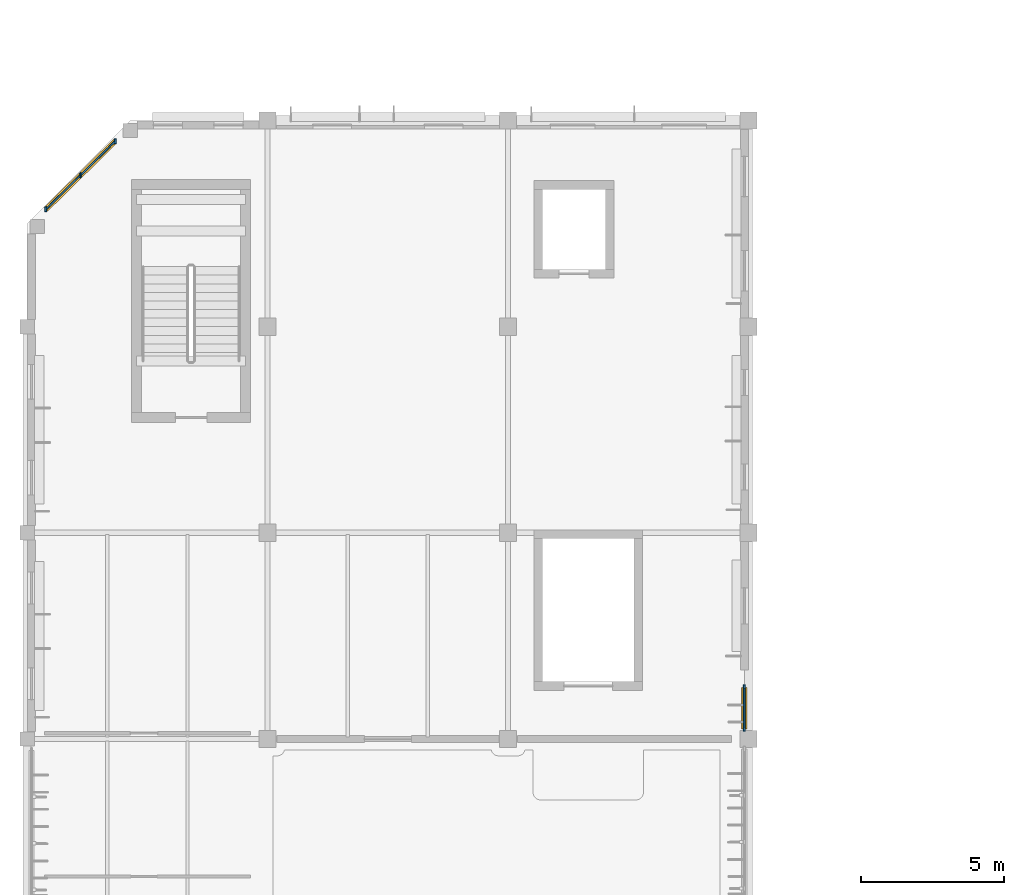
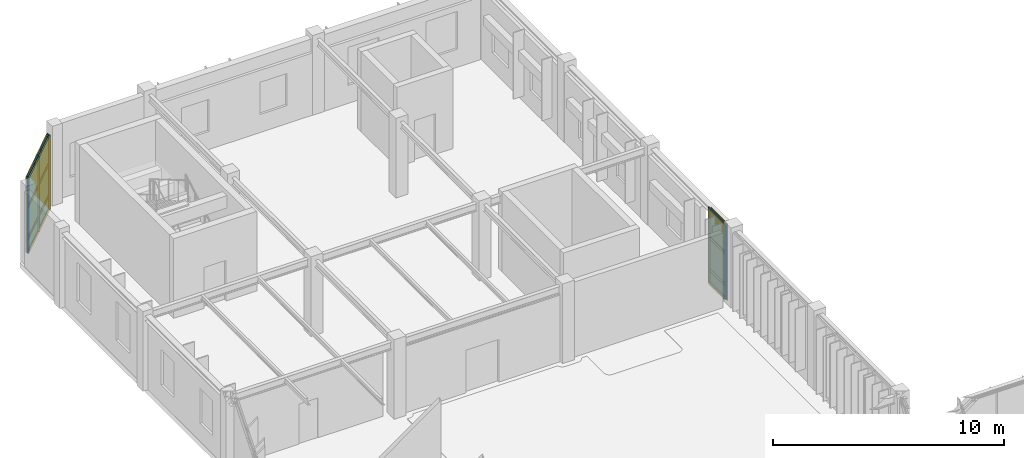
# One storey, part 82 of 104: 17 members, 9 plates, 2 curtain walls.
"""IFC4 building model written with IfcOpenShell, lengths in metres."""

import ifcopenshell
import ifcopenshell.guid

model = None  # the IFC model being written
_history = None  # IfcOwnerHistory: only IFC2X3 demands one
_inside = {}  # id of a spatial element -> (the spatial element, [elements in it])
_under = {}  # id of a project, library or spatial element -> (it, [spatial elements below it])
_declared = {}  # id of a project -> (the project, [libraries it declares])
_typed = {}  # id of a type object -> (the type object, [elements of that type])
_made_of = {}  # id of a material, layer set ... -> (it, [elements and type objects made of it])


def new_model(schema):
    """Start an empty IFC model of exactly this schema.

    Asked for "IFC4X3", IfcOpenShell would pick the latest addendum, in which some entities
    have other attributes; the version numbers below select the first issue.
    IFC2X3 requires an IfcOwnerHistory on every rooted entity: one is made here for all.
    """
    global model, _history
    if schema == "IFC4X3":
        model = ifcopenshell.file(schema_version=(4, 3, 0, 0))
    else:
        model = ifcopenshell.file(schema=schema)
    _inside.clear()
    _under.clear()
    _declared.clear()
    _typed.clear()
    _made_of.clear()
    _history = None
    if model.schema == "IFC2X3":
        org = make("IfcOrganization", Name="unknown")
        user = make(
            "IfcPersonAndOrganization",
            ThePerson=make("IfcPerson", FamilyName="unknown"),
            TheOrganization=org,
        )
        app = make(
            "IfcApplication",
            ApplicationDeveloper=org,
            Version="unknown",
            ApplicationFullName="unknown",
            ApplicationIdentifier="unknown",
        )
        _history = make(
            "IfcOwnerHistory",
            OwningUser=user,
            OwningApplication=app,
            ChangeAction="ADDED",
            CreationDate=0,
        )
    return model


def make(cls, **values):
    """One entity of the class cls with the attributes given. An attribute that is None is left unset."""
    return model.create_entity(
        cls, **{name: value for name, value in values.items() if value is not None}
    )


def rooted(cls, **values):
    """An entity with a GlobalId (a new one), such as an element, a storey or a relation."""
    return make(cls, GlobalId=ifcopenshell.guid.new(), OwnerHistory=_history, **values)


def si_unit(unit_type, name, prefix=None):
    """IfcSIUnit, for example si_unit("LENGTHUNIT", "METRE", prefix="MILLI")."""
    return make("IfcSIUnit", UnitType=unit_type, Prefix=prefix, Name=name)


def assignment(units):
    """IfcUnitAssignment: the units of a project."""
    return None if units is None else make("IfcUnitAssignment", Units=units)


def point(xyz):
    """IfcCartesianPoint."""
    return None if xyz is None else make("IfcCartesianPoint", Coordinates=xyz)


def direction(xyz):
    """IfcDirection."""
    return None if xyz is None else make("IfcDirection", DirectionRatios=xyz)


def frame(location, z_axis=None, x_axis=None):
    """IfcAxis2Placement3D, a coordinate frame: its origin and axes. An axis left out is left unset."""
    return make(
        "IfcAxis2Placement3D",
        Location=point(location),
        Axis=direction(z_axis),
        RefDirection=direction(x_axis),
    )


def frame_2d(location, x_axis=None):
    """IfcAxis2Placement2D, a coordinate frame in the plane: its origin and x axis."""
    return make(
        "IfcAxis2Placement2D", Location=point(location), RefDirection=direction(x_axis)
    )


def origin():
    """The frame at (0, 0, 0) with its axes left unset."""
    return frame((0.0, 0.0, 0.0))


def origin_2d():
    """The frame at (0, 0) in the plane with its x axis left unset."""
    return frame_2d((0.0, 0.0))


def place(relative_to, where):
    """IfcLocalPlacement: puts the frame where relative to a parent placement (None: the world)."""
    return make(
        "IfcLocalPlacement", PlacementRelTo=relative_to, RelativePlacement=where
    )


def context(
    kind, dimensions, precision=None, world=None, true_north=None, identifier=None
):
    """IfcGeometricRepresentationContext, for example the 3D "Model" context."""
    return make(
        "IfcGeometricRepresentationContext",
        ContextIdentifier=identifier,
        ContextType=kind,
        CoordinateSpaceDimension=dimensions,
        Precision=precision,
        WorldCoordinateSystem=world,
        TrueNorth=true_north,
    )


def subcontext(parent, identifier, kind, view, scale=None):
    """IfcGeometricRepresentationSubContext, for example "Body" below "Model"."""
    return make(
        "IfcGeometricRepresentationSubContext",
        ContextIdentifier=identifier,
        ContextType=kind,
        ParentContext=parent,
        TargetScale=scale,
        TargetView=view,
    )


def project(units=None, contexts=None):
    """IfcProject with its units and contexts."""
    return rooted(
        "IfcProject",
        Name="project",
        RepresentationContexts=contexts,
        UnitsInContext=assignment(units),
    )


def spatial(cls, under=None, at=None, **own):
    """A site, building, storey or space (cls), placed at a placement, below another one or the project."""
    s = rooted(cls, ObjectPlacement=at, **own)
    if under is not None:
        _under.setdefault(under.id(), (under, []))[1].append(s)
    return s


def profile(cls, at=None, kind="AREA", **sizes):
    """A parametric profile (cls). Its sizes go by their IFC names, for example OverallWidth=200.0."""
    return make(cls, ProfileType=kind, Position=at, **sizes)


def rectangle(**sizes):
    """IfcRectangleProfileDef."""
    return profile("IfcRectangleProfileDef", **sizes)


def extrude(swept, where, along, depth):
    """IfcExtrudedAreaSolid: the profile swept, set in the frame where, extruded along a direction by depth."""
    return make(
        "IfcExtrudedAreaSolid",
        SweptArea=swept,
        Position=where,
        ExtrudedDirection=direction(along),
        Depth=depth,
    )


def shape(context_of_items, identifier, shape_type, items):
    """IfcShapeRepresentation: the items that make up one representation, for example the "Body"."""
    return make(
        "IfcShapeRepresentation",
        ContextOfItems=context_of_items,
        RepresentationIdentifier=identifier,
        RepresentationType=shape_type,
        Items=items,
    )


def material(Name=None, Category=None):
    """IfcMaterial."""
    return make("IfcMaterial", Name=Name, Category=Category)


def layer(
    of_material, thickness, ventilated=None, Name=None, Category=None, Priority=None
):
    """IfcMaterialLayer: one layer of a wall or slab, of a material (None: an air gap)."""
    return make(
        "IfcMaterialLayer",
        Material=of_material,
        LayerThickness=thickness,
        IsVentilated=ventilated,
        Name=Name,
        Category=Category,
        Priority=Priority,
    )


def layer_set(layers, Name=None):
    """IfcMaterialLayerSet."""
    return make("IfcMaterialLayerSet", MaterialLayers=layers, LayerSetName=Name)


def material_profile(
    of_material, cross_section, Name=None, Category=None, Priority=None
):
    """IfcMaterialProfile: a cross section and its material."""
    return make(
        "IfcMaterialProfile",
        Name=Name,
        Material=of_material,
        Profile=cross_section,
        Priority=Priority,
        Category=Category,
    )


def profile_set(profiles, Name=None, composite=None):
    """IfcMaterialProfileSet."""
    return make(
        "IfcMaterialProfileSet",
        Name=Name,
        MaterialProfiles=profiles,
        CompositeProfile=composite,
    )


def made_of(thing, what):
    """Note that an element or type object is made of a material, layer set ...; save() writes the relation."""
    if what is not None:
        _made_of.setdefault(what.id(), (what, []))[1].append(thing)
    return thing


def type_object(cls, material=None, **own):
    """A type object (cls), such as IfcWallType, which elements share."""
    return made_of(rooted(cls, **own), material)


def element(
    cls,
    number,
    at=None,
    inside=None,
    cuts=None,
    type_object=None,
    material=None,
    context=None,
    identifier="Body",
    shape_type=None,
    held_by="IfcProductDefinitionShape",
    body=None,
    shapes=None,
    **own,
):
    """One element of the class cls, such as IfcWall. Its Tag is "e" and its number.

    at: its placement. inside: the storey or other place that contains it. cuts: it is an
    opening in that element (IfcRelVoidsElement). A single representation is given by context,
    identifier, shape_type and body (its items); several are given by shapes. held_by: the class
    of the entity that holds the representations. save() writes the other relations.
    """
    e = rooted(cls, Tag="e%d" % number, ObjectPlacement=at, **own)
    if body is not None:
        shapes = [shape(context, identifier, shape_type, body)]
    if shapes is not None:
        e.Representation = make(held_by, Representations=shapes)
    if inside is not None:
        _inside.setdefault(inside.id(), (inside, []))[1].append(e)
    if cuts is not None:
        rooted(
            "IfcRelVoidsElement", RelatingBuildingElement=cuts, RelatedOpeningElement=e
        )
    if type_object is not None:
        _typed.setdefault(type_object.id(), (type_object, []))[1].append(e)
    return made_of(e, material)


def aggregate(whole, parts):
    """IfcRelAggregates: a whole, such as a stair, and the parts it consists of."""
    return rooted("IfcRelAggregates", RelatingObject=whole, RelatedObjects=parts)


def save(model, path):
    """Write the relations noted so far, then the file.

    IfcRelAggregates (storeys below a building ...), IfcRelContainedInSpatialStructure (elements
    in a storey), IfcRelDefinesByType, IfcRelAssociatesMaterial and IfcRelDeclares: one each for
    every whole, place, type object, material and project.
    """
    for whole, parts in _under.values():
        aggregate(whole, parts)
    for where, things in _inside.values():
        rooted(
            "IfcRelContainedInSpatialStructure",
            RelatedElements=things,
            RelatingStructure=where,
        )
    for kind, things in _typed.values():
        rooted("IfcRelDefinesByType", RelatedObjects=things, RelatingType=kind)
    for what, things in _made_of.values():
        rooted("IfcRelAssociatesMaterial", RelatedObjects=things, RelatingMaterial=what)
    for by, libraries in _declared.values():
        rooted("IfcRelDeclares", RelatingContext=by, RelatedDefinitions=libraries)
    model.write(path)


model = new_model("IFC4")

# Units and contexts
model_context = context("Model", 3, precision=1e-05, world=origin(), true_north=direction((0.0, 1.0)))
body_context = subcontext(model_context, "Body", "Model", "MODEL_VIEW")
ifc_project = project(units=[si_unit("LENGTHUNIT", "METRE"), si_unit("AREAUNIT", "SQUARE_METRE"), si_unit("VOLUMEUNIT", "CUBIC_METRE"), si_unit("PLANEANGLEUNIT", "RADIAN"), si_unit("MASSUNIT", "GRAM", prefix="KILO")], contexts=[model_context])

# Member
ifc_material_1 = material(Name="Anodised Bronze Aluminium 6063-T6", Category="aluminium")
ifc_material_profile_1 = material_profile(ifc_material_1, rectangle(XDim=0.06005859375, YDim=0.179931640625, at=origin_2d()), Name="ALU MULLION 60x180")
ifc_profile_set_1 = profile_set([ifc_material_profile_1], Name="Anodised Bronze Aluminium 6063-T6")
member_type_1 = type_object("IfcMemberType", Name="Curtain-Wall Primary Mullion 60x180", PredefinedType="MULLION", material=ifc_profile_set_1)
site_placement = place(None, origin())
building_placement = place(site_placement, origin())
storey_placement = place(building_placement, frame((0.0, 0.0, 9.0)))
member_1_placement = place(storey_placement, frame((5.474365234375, 87.080810546875, 0.0), z_axis=(0.0, 0.0, 1.0), x_axis=(1.0, 0.0, 0.0)))
member_1 = element("IfcMember", 1, at=member_1_placement, type_object=member_type_1, Name="Mullion CWM-01 CW-V6-NWCH-L02-M01", PredefinedType="MULLION", context=body_context, shape_type="SweptSolid", body=[
    extrude(rectangle(XDim=0.06005859375, YDim=0.179931640625, at=origin_2d()), origin(), (0.0, 0.0, 1.0), 3.9599609375),
])

member_2_placement = place(storey_placement, frame((4.26318359375, 85.888671875, 0.0), z_axis=(0.0, 0.0, 1.0), x_axis=(1.0, 0.0, 0.0)))
member_2 = element("IfcMember", 2, at=member_2_placement, type_object=member_type_1, Name="Mullion CWM-01 CW-V6-NWCH-L02-M02", PredefinedType="MULLION", context=body_context, shape_type="SweptSolid", body=[
    extrude(rectangle(XDim=0.06005859375, YDim=0.179931640625, at=origin_2d()), origin(), (0.0, 0.0, 1.0), 3.9599609375),
])

member_3_placement = place(storey_placement, frame((3.0517578125, 84.696533203125, 0.0), z_axis=(0.0, 0.0, 1.0), x_axis=(1.0, 0.0, 0.0)))
member_3 = element("IfcMember", 3, at=member_3_placement, type_object=member_type_1, Name="Mullion CWM-01 CW-V6-NWCH-L02-M03", PredefinedType="MULLION", context=body_context, shape_type="SweptSolid", body=[
    extrude(rectangle(XDim=0.06005859375, YDim=0.179931640625, at=origin_2d()), origin(), (0.0, 0.0, 1.0), 3.9599609375),
])

member_4_placement = place(storey_placement, frame((27.449951171875, 66.550048828125, 0.0), z_axis=(0.0, 0.0, 1.0), x_axis=(1.0, 0.0, 0.0)))
member_4 = element("IfcMember", 4, at=member_4_placement, type_object=member_type_1, Name="Mullion CWM-01 CW-V6-E1-L02-B4-M01", PredefinedType="MULLION", context=body_context, shape_type="SweptSolid", body=[
    extrude(rectangle(XDim=0.06005859375, YDim=0.179931640625, at=origin_2d()), origin(), (0.0, 0.0, 1.0), 3.9599609375),
])

member_5_placement = place(storey_placement, frame((27.449951171875, 68.0, 0.0), z_axis=(0.0, 0.0, 1.0), x_axis=(1.0, 0.0, 0.0)))
member_5 = element("IfcMember", 5, at=member_5_placement, type_object=member_type_1, Name="Mullion CWM-01 CW-V6-E1-L02-B4-M02", PredefinedType="MULLION", context=body_context, shape_type="SweptSolid", body=[
    extrude(rectangle(XDim=0.06005859375, YDim=0.179931640625, at=origin_2d()), origin(), (0.0, 0.0, 1.0), 3.9599609375),
])

ifc_material_profile_2 = material_profile(ifc_material_1, rectangle(XDim=0.06005859375, YDim=0.139892578125, at=origin_2d()), Name="ALU TRANSOM 60x140")
ifc_profile_set_2 = profile_set([ifc_material_profile_2], Name="Anodised Bronze Aluminium 6063-T6")
member_type_2 = type_object("IfcMemberType", Name="Curtain-Wall Transom 60x140", PredefinedType="USERDEFINED", material=ifc_profile_set_2)
member_6_placement = place(storey_placement, frame((5.449462890625, 87.05615234375, 0.0400390625), z_axis=(-0.71270278191, -0.701466139353, 0.0), x_axis=(0.701466139353, -0.71270278191, 0.0)))
member_6 = element("IfcMember", 6, at=member_6_placement, type_object=member_type_2, Name="Transom CWT-01 CW-V6-NWCH-L02-T01.1", ObjectType="TRANSOM", PredefinedType="USERDEFINED", context=body_context, shape_type="SweptSolid", body=[
    extrude(rectangle(XDim=0.06005859375, YDim=0.139892578125, at=origin_2d()), origin(), (0.0, 0.0, 1.0), 1.629638671875),
])

member_7_placement = place(storey_placement, frame((5.449462890625, 87.05615234375, 0.75), z_axis=(-0.71270278191, -0.701466139353, 0.0), x_axis=(0.701466139353, -0.71270278191, 0.0)))
member_7 = element("IfcMember", 7, at=member_7_placement, type_object=member_type_2, Name="Transom CWT-01 CW-V6-NWCH-L02-T01.2", ObjectType="TRANSOM", PredefinedType="USERDEFINED", context=body_context, shape_type="SweptSolid", body=[
    extrude(rectangle(XDim=0.06005859375, YDim=0.139892578125, at=origin_2d()), origin(), (0.0, 0.0, 1.0), 1.629638671875),
])

member_8_placement = place(storey_placement, frame((5.449462890625, 87.05615234375, 2.419189453125), z_axis=(-0.71270278191, -0.701466139353, 0.0), x_axis=(0.701466139353, -0.71270278191, 0.0)))
member_8 = element("IfcMember", 8, at=member_8_placement, type_object=member_type_2, Name="Transom CWT-01 CW-V6-NWCH-L02-T01.3", ObjectType="TRANSOM", PredefinedType="USERDEFINED", context=body_context, shape_type="SweptSolid", body=[
    extrude(rectangle(XDim=0.06005859375, YDim=0.139892578125, at=origin_2d()), origin(), (0.0, 0.0, 1.0), 1.629638671875),
])

member_9_placement = place(storey_placement, frame((5.449462890625, 87.05615234375, 3.919921875), z_axis=(-0.71270278191, -0.701466139353, 0.0), x_axis=(0.701466139353, -0.71270278191, 0.0)))
member_9 = element("IfcMember", 9, at=member_9_placement, type_object=member_type_2, Name="Transom CWT-01 CW-V6-NWCH-L02-T01.4", ObjectType="TRANSOM", PredefinedType="USERDEFINED", context=body_context, shape_type="SweptSolid", body=[
    extrude(rectangle(XDim=0.06005859375, YDim=0.139892578125, at=origin_2d()), origin(), (0.0, 0.0, 1.0), 1.629638671875),
])

member_10_placement = place(storey_placement, frame((4.23828125, 85.864013671875, 0.0400390625), z_axis=(-0.712851387728, -0.70131512105, 0.0), x_axis=(0.70131512105, -0.712851387728, 0.0)))
member_10 = element("IfcMember", 10, at=member_10_placement, type_object=member_type_2, Name="Transom CWT-01 CW-V6-NWCH-L02-T02.1", ObjectType="TRANSOM", PredefinedType="USERDEFINED", context=body_context, shape_type="SweptSolid", body=[
    extrude(rectangle(XDim=0.06005859375, YDim=0.139892578125, at=origin_2d()), origin(), (0.0, 0.0, 1.0), 1.629638671875),
])

member_11_placement = place(storey_placement, frame((4.23828125, 85.864013671875, 0.75), z_axis=(-0.712851387728, -0.70131512105, 0.0), x_axis=(0.70131512105, -0.712851387728, 0.0)))
member_11 = element("IfcMember", 11, at=member_11_placement, type_object=member_type_2, Name="Transom CWT-01 CW-V6-NWCH-L02-T02.2", ObjectType="TRANSOM", PredefinedType="USERDEFINED", context=body_context, shape_type="SweptSolid", body=[
    extrude(rectangle(XDim=0.06005859375, YDim=0.139892578125, at=origin_2d()), origin(), (0.0, 0.0, 1.0), 1.629638671875),
])

member_12_placement = place(storey_placement, frame((4.23828125, 85.864013671875, 2.419189453125), z_axis=(-0.712851387728, -0.70131512105, 0.0), x_axis=(0.70131512105, -0.712851387728, 0.0)))
member_12 = element("IfcMember", 12, at=member_12_placement, type_object=member_type_2, Name="Transom CWT-01 CW-V6-NWCH-L02-T02.3", ObjectType="TRANSOM", PredefinedType="USERDEFINED", context=body_context, shape_type="SweptSolid", body=[
    extrude(rectangle(XDim=0.06005859375, YDim=0.139892578125, at=origin_2d()), origin(), (0.0, 0.0, 1.0), 1.629638671875),
])

member_13_placement = place(storey_placement, frame((4.23828125, 85.864013671875, 3.919921875), z_axis=(-0.712851387728, -0.70131512105, 0.0), x_axis=(0.70131512105, -0.712851387728, 0.0)))
member_13 = element("IfcMember", 13, at=member_13_placement, type_object=member_type_2, Name="Transom CWT-01 CW-V6-NWCH-L02-T02.4", ObjectType="TRANSOM", PredefinedType="USERDEFINED", context=body_context, shape_type="SweptSolid", body=[
    extrude(rectangle(XDim=0.06005859375, YDim=0.139892578125, at=origin_2d()), origin(), (0.0, 0.0, 1.0), 1.629638671875),
])

member_14_placement = place(storey_placement, frame((27.449951171875, 66.5849609375, 0.0400390625), z_axis=(0.0, 1.0, 0.0), x_axis=(-1.0, 0.0, 0.0)))
member_14 = element("IfcMember", 14, at=member_14_placement, type_object=member_type_2, Name="Transom CWT-01 CW-V6-E1-L02-B4-T01.1", ObjectType="TRANSOM", PredefinedType="USERDEFINED", context=body_context, shape_type="SweptSolid", body=[
    extrude(rectangle(XDim=0.06005859375, YDim=0.139892578125, at=origin_2d()), origin(), (0.0, 0.0, 1.0), 1.380126953125),
])

member_15_placement = place(storey_placement, frame((27.449951171875, 66.5849609375, 0.75), z_axis=(0.0, 1.0, 0.0), x_axis=(-1.0, 0.0, 0.0)))
member_15 = element("IfcMember", 15, at=member_15_placement, type_object=member_type_2, Name="Transom CWT-01 CW-V6-E1-L02-B4-T01.2", ObjectType="TRANSOM", PredefinedType="USERDEFINED", context=body_context, shape_type="SweptSolid", body=[
    extrude(rectangle(XDim=0.06005859375, YDim=0.139892578125, at=origin_2d()), origin(), (0.0, 0.0, 1.0), 1.380126953125),
])

member_16_placement = place(storey_placement, frame((27.449951171875, 66.5849609375, 2.419189453125), z_axis=(0.0, 1.0, 0.0), x_axis=(-1.0, 0.0, 0.0)))
member_16 = element("IfcMember", 16, at=member_16_placement, type_object=member_type_2, Name="Transom CWT-01 CW-V6-E1-L02-B4-T01.3", ObjectType="TRANSOM", PredefinedType="USERDEFINED", context=body_context, shape_type="SweptSolid", body=[
    extrude(rectangle(XDim=0.06005859375, YDim=0.139892578125, at=origin_2d()), origin(), (0.0, 0.0, 1.0), 1.380126953125),
])

member_17_placement = place(storey_placement, frame((27.449951171875, 66.5849609375, 3.919921875), z_axis=(0.0, 1.0, 0.0), x_axis=(-1.0, 0.0, 0.0)))
member_17 = element("IfcMember", 17, at=member_17_placement, type_object=member_type_2, Name="Transom CWT-01 CW-V6-E1-L02-B4-T01.4", ObjectType="TRANSOM", PredefinedType="USERDEFINED", context=body_context, shape_type="SweptSolid", body=[
    extrude(rectangle(XDim=0.06005859375, YDim=0.139892578125, at=origin_2d()), origin(), (0.0, 0.0, 1.0), 1.380126953125),
])

# Plate
ifc_material_2 = material(Name="Insulated Bronze Aluminium Spandrel Panel", Category="aluminium")
ifc_layer_1 = layer(ifc_material_2, 0.050048828125, Name="Insulated Bronze Aluminium Spandrel Panel")
ifc_layer_set_1 = layer_set([ifc_layer_1], Name="Insulated Bronze Aluminium Spandrel Panel")
plate_type_1 = type_object("IfcPlateType", Name="Insulated Anodised Aluminium Spandrel Cassette 50", PredefinedType="CURTAIN_PANEL", material=ifc_layer_set_1)
plate_1_placement = place(storey_placement, frame((4.868896484375, 86.484619140625, 0.070068359375), z_axis=(0.0, 0.0, 1.0), x_axis=(-0.712718100555, -0.701450574981, 0.0)))
plate_1 = element("IfcPlate", 18, at=plate_1_placement, type_object=plate_type_1, Name="Curtain Panel CWP-03 CW-V6-NWCH-L02-P01.1", PredefinedType="CURTAIN_PANEL", context=body_context, shape_type="SweptSolid", body=[
    extrude(rectangle(XDim=1.62939453125, YDim=0.050048828125, at=origin_2d()), origin(), (0.0, 0.0, 1.0), 0.64990234375),
])

plate_2_placement = place(storey_placement, frame((3.657470703125, 85.29248046875, 0.070068359375), z_axis=(0.0, 0.0, 1.0), x_axis=(-0.712718100555, -0.701450574981, 0.0)))
plate_2 = element("IfcPlate", 19, at=plate_2_placement, type_object=plate_type_1, Name="Curtain Panel CWP-03 CW-V6-NWCH-L02-P02.1", PredefinedType="CURTAIN_PANEL", context=body_context, shape_type="SweptSolid", body=[
    extrude(rectangle(XDim=1.62939453125, YDim=0.050048828125, at=origin_2d()), origin(), (0.0, 0.0, 1.0), 0.64990234375),
])

plate_3_placement = place(storey_placement, frame((27.449951171875, 67.27490234375, 0.070068359375), z_axis=(0.0, 0.0, 1.0), x_axis=(0.0, 1.0, 0.0)))
plate_3 = element("IfcPlate", 20, at=plate_3_placement, type_object=plate_type_1, Name="Curtain Panel CWP-03 CW-V6-E1-L02-B4-P01.1", PredefinedType="CURTAIN_PANEL", context=body_context, shape_type="SweptSolid", body=[
    extrude(rectangle(XDim=1.3798828125, YDim=0.050048828125, at=origin_2d()), origin(), (0.0, 0.0, 1.0), 0.64990234375),
])

ifc_material_3 = material(Name="Solar-Control Tempered Double Glazing", Category="glass")
ifc_layer_2 = layer(ifc_material_3, 0.0380859375, Name="Solar-Control Tempered Double Glazing")
ifc_layer_set_2 = layer_set([ifc_layer_2], Name="Solar-Control Tempered Double Glazing")
plate_type_2 = type_object("IfcPlateType", Name="Solar-Control Vision Glazing Unit 38", PredefinedType="CURTAIN_PANEL", material=ifc_layer_set_2)
plate_4_placement = place(storey_placement, frame((4.868896484375, 86.484619140625, 0.7802734375), z_axis=(0.0, 0.0, 1.0), x_axis=(-0.712718100555, -0.701450574981, 0.0)))
plate_4 = element("IfcPlate", 21, at=plate_4_placement, type_object=plate_type_2, Name="Curtain Panel CWP-02 CW-V6-NWCH-L02-P01.2", PredefinedType="CURTAIN_PANEL", context=body_context, shape_type="SweptSolid", body=[
    extrude(rectangle(XDim=1.62939453125, YDim=0.0380859375, at=origin_2d()), origin(), (0.0, 0.0, 1.0), 1.609130859375),
])

plate_5_placement = place(storey_placement, frame((4.868896484375, 86.484619140625, 2.44921875), z_axis=(0.0, 0.0, 1.0), x_axis=(-0.712718100555, -0.701450574981, 0.0)))
plate_5 = element("IfcPlate", 22, at=plate_5_placement, type_object=plate_type_2, Name="Curtain Panel CWP-02 CW-V6-NWCH-L02-P01.3", PredefinedType="CURTAIN_PANEL", context=body_context, shape_type="SweptSolid", body=[
    extrude(rectangle(XDim=1.62939453125, YDim=0.0380859375, at=origin_2d()), origin(), (0.0, 0.0, 1.0), 1.44091796875),
])

plate_6_placement = place(storey_placement, frame((3.657470703125, 85.29248046875, 0.7802734375), z_axis=(0.0, 0.0, 1.0), x_axis=(-0.712718100555, -0.701450574981, 0.0)))
plate_6 = element("IfcPlate", 23, at=plate_6_placement, type_object=plate_type_2, Name="Curtain Panel CWP-02 CW-V6-NWCH-L02-P02.2", PredefinedType="CURTAIN_PANEL", context=body_context, shape_type="SweptSolid", body=[
    extrude(rectangle(XDim=1.62939453125, YDim=0.0380859375, at=origin_2d()), origin(), (0.0, 0.0, 1.0), 1.609130859375),
])

plate_7_placement = place(storey_placement, frame((3.657470703125, 85.29248046875, 2.44921875), z_axis=(0.0, 0.0, 1.0), x_axis=(-0.712718100555, -0.701450574981, 0.0)))
plate_7 = element("IfcPlate", 24, at=plate_7_placement, type_object=plate_type_2, Name="Curtain Panel CWP-02 CW-V6-NWCH-L02-P02.3", PredefinedType="CURTAIN_PANEL", context=body_context, shape_type="SweptSolid", body=[
    extrude(rectangle(XDim=1.62939453125, YDim=0.0380859375, at=origin_2d()), origin(), (0.0, 0.0, 1.0), 1.44091796875),
])

plate_8_placement = place(storey_placement, frame((27.449951171875, 67.27490234375, 0.7802734375), z_axis=(0.0, 0.0, 1.0), x_axis=(0.0, 1.0, 0.0)))
plate_8 = element("IfcPlate", 25, at=plate_8_placement, type_object=plate_type_2, Name="Curtain Panel CWP-02 CW-V6-E1-L02-B4-P01.2", PredefinedType="CURTAIN_PANEL", context=body_context, shape_type="SweptSolid", body=[
    extrude(rectangle(XDim=1.3798828125, YDim=0.0380859375, at=origin_2d()), origin(), (0.0, 0.0, 1.0), 1.609130859375),
])

plate_9_placement = place(storey_placement, frame((27.449951171875, 67.27490234375, 2.44921875), z_axis=(0.0, 0.0, 1.0), x_axis=(0.0, 1.0, 0.0)))
plate_9 = element("IfcPlate", 26, at=plate_9_placement, type_object=plate_type_2, Name="Curtain Panel CWP-02 CW-V6-E1-L02-B4-P01.3", PredefinedType="CURTAIN_PANEL", context=body_context, shape_type="SweptSolid", body=[
    extrude(rectangle(XDim=1.3798828125, YDim=0.0380859375, at=origin_2d()), origin(), (0.0, 0.0, 1.0), 1.44091796875),
])

# Site, building, storey
site = spatial("IfcSite", under=ifc_project, at=site_placement, CompositionType="ELEMENT")
building = spatial("IfcBuilding", under=site, at=building_placement, Name="Tazoul Stagehouse", CompositionType="ELEMENT")
storey = spatial("IfcBuildingStorey", under=building, at=storey_placement, Name="L02", CompositionType="ELEMENT", Elevation=9.0)

# Curtain wall
curtain_wall_type_1 = type_object("IfcCurtainWallType", Name="Crescent Double-Skin Acoustic Curtain Wall", PredefinedType="NOTDEFINED", material=ifc_material_1)
curtain_wall_1_placement = place(storey_placement, frame((5.474365234375, 87.080810546875, 0.0), z_axis=(0.0, 0.0, 1.0), x_axis=(-0.712722588839, -0.701446014572, 0.0)))
curtain_wall_1 = element("IfcCurtainWall", 27, at=curtain_wall_1_placement, inside=storey, type_object=curtain_wall_type_1, Name="L02 Curtain Wall CW-01 (CW-V6-NWCH-L02)", PredefinedType="NOTDEFINED", context=body_context, shape_type="SweptSolid", body=[
    extrude(rectangle(XDim=3.399169921875, YDim=0.179931640625, at=frame_2d((1.69970703125, 0.0))), origin(), (0.0, 0.0, 1.0), 3.9599609375),
])

aggregate(curtain_wall_1, [member_1, member_2, member_3, member_6, member_7, member_8, member_9, plate_1, plate_4, plate_5, member_10, member_11, member_12, member_13, plate_2, plate_6, plate_7])

curtain_wall_type_2 = type_object("IfcCurtainWallType", Name="Foyer Clear Solar-Control Curtain Wall", PredefinedType="NOTDEFINED", material=ifc_material_1)
curtain_wall_2_placement = place(storey_placement, frame((27.449951171875, 66.550048828125, 0.0), z_axis=(0.0, 0.0, 1.0), x_axis=(0.0, 1.0, 0.0)))
curtain_wall_2 = element("IfcCurtainWall", 28, at=curtain_wall_2_placement, inside=storey, type_object=curtain_wall_type_2, Name="L02 Curtain Wall CW-02 (CW-V6-E1-L02-B4)", PredefinedType="NOTDEFINED", context=body_context, shape_type="SweptSolid", body=[
    extrude(rectangle(XDim=1.449951171875, YDim=0.179931640625, at=frame_2d((0.72509765625, 0.0))), origin(), (0.0, 0.0, 1.0), 3.9599609375),
])

aggregate(curtain_wall_2, [member_4, member_5, member_14, member_15, member_16, member_17, plate_3, plate_8, plate_9])

save(model, "model.ifc")
